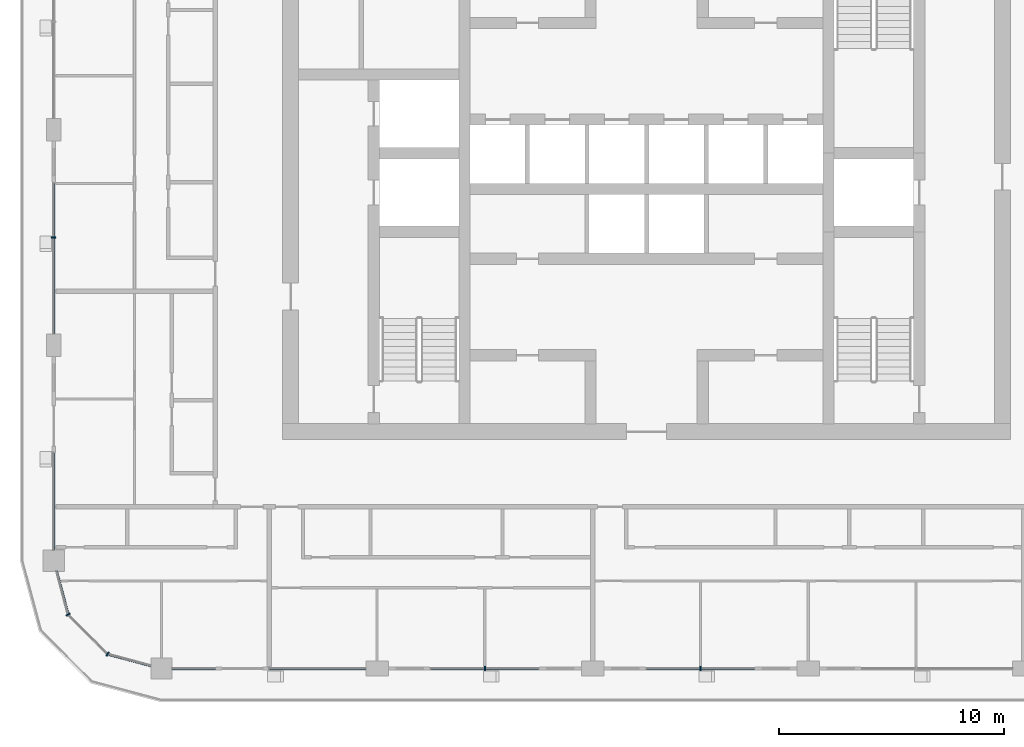
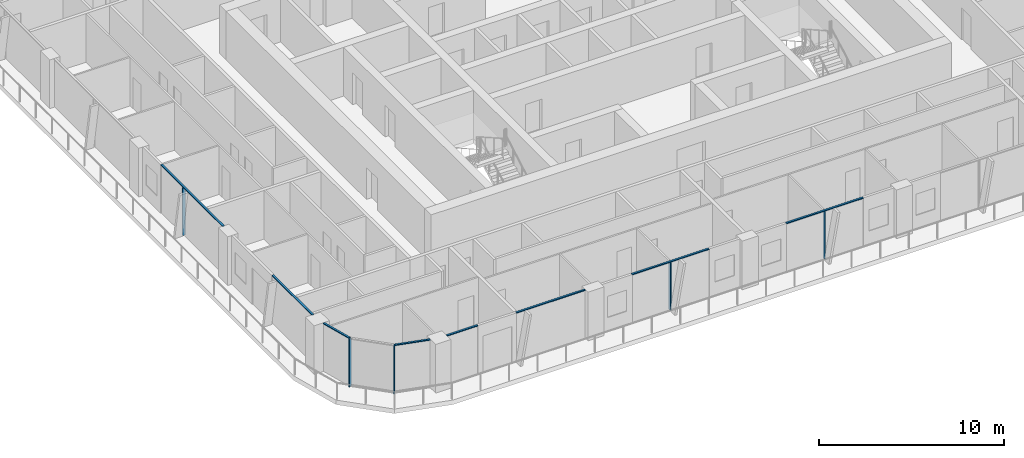
# One storey, part 2 of 23: 13 members, 6 elements without a shape of their own.
"""IFC4 building model written with IfcOpenShell, lengths in metres."""

from ifc_helpers import new_model, si_unit, direction, frame, origin, origin_2d, place, context, subcontext, project, spatial, rectangle, extrude, material, layer, layer_set, material_profile, profile_set, type_object, element, aggregate, save


model = new_model("IFC4")

# Units and contexts
model_context = context("Model", 3, precision=1e-05, world=origin(), true_north=direction((0.0, 1.0)))
body_context = subcontext(model_context, "Body", "Model", "MODEL_VIEW")
ifc_project = project(units=[si_unit("LENGTHUNIT", "METRE"), si_unit("AREAUNIT", "SQUARE_METRE"), si_unit("VOLUMEUNIT", "CUBIC_METRE"), si_unit("PLANEANGLEUNIT", "RADIAN"), si_unit("MASSUNIT", "GRAM", prefix="KILO")], contexts=[model_context])

# Site, building, storey
site_placement = place(None, origin())
site = spatial("IfcSite", under=ifc_project, at=site_placement, CompositionType="ELEMENT")
building_placement = place(site_placement, origin())
building = spatial("IfcBuilding", under=site, at=building_placement, Name="Madar Terraces", CompositionType="ELEMENT")
storey_placement = place(building_placement, frame((0.0, 0.0, 219.300048828125)))
storey = spatial("IfcBuildingStorey", under=building, at=storey_placement, Name="L57", CompositionType="ELEMENT", Elevation=219.300048828125)

# Curtain wall, member
ifc_material_1 = material(Name="Glass, ceramic frit dark grey, with black aluminium frame", Category="aluminium")
ifc_layer = layer(ifc_material_1, 0.199951171875)
ifc_layer_set = layer_set([ifc_layer], Name="Facade curtain wall, fritted glass")
curtain_wall_type = type_object("IfcCurtainWallType", Name="Facade curtain wall, fritted glass", PredefinedType="NOTDEFINED", material=ifc_layer_set)
curtain_wall_1_placement = place(storey_placement, origin())
curtain_wall_1 = element("IfcCurtainWall", 1, at=curtain_wall_1_placement, inside=storey, type_object=curtain_wall_type, Name="Outer skin curtain wall south bay 2", PredefinedType="NOTDEFINED")
ifc_material_2 = material(Name="Aluminium, black anodised", Category="aluminium")
ifc_material_profile_1 = material_profile(ifc_material_2, rectangle(XDim=0.199951171875, YDim=0.06005859375, at=origin_2d()), Name="Facade mullion 60x200")
ifc_profile_set_1 = profile_set([ifc_material_profile_1], Name="Aluminium, black anodised")
member_type_1 = type_object("IfcMemberType", Name="Facade mullion 60x200", PredefinedType="MULLION", material=ifc_profile_set_1)
member_1_placement = place(storey_placement, frame((24.0, 4.800048828125, 0.0), z_axis=(0.0, 0.0, 1.0), x_axis=(0.0, 1.0, 0.0)))
member_1 = element("IfcMember", 2, at=member_1_placement, type_object=member_type_1, Name="Mullion 1", PredefinedType="MULLION", context=body_context, shape_type="SweptSolid", body=[
    extrude(rectangle(XDim=0.199951171875, YDim=0.06005859375, at=origin_2d()), origin(), (0.0, 0.0, 1.0), 3.139892578125),
])

curtain_wall_2_placement = place(storey_placement, origin())
curtain_wall_2 = element("IfcCurtainWall", 3, at=curtain_wall_2_placement, inside=storey, type_object=curtain_wall_type, Name="Outer skin curtain wall south bay 3", PredefinedType="NOTDEFINED")
member_2_placement = place(storey_placement, frame((33.60009765625, 4.800048828125, 0.0), z_axis=(0.0, 0.0, 1.0), x_axis=(0.0, 1.0, 0.0)))
member_2 = element("IfcMember", 4, at=member_2_placement, type_object=member_type_1, Name="Mullion 1", PredefinedType="MULLION", context=body_context, shape_type="SweptSolid", body=[
    extrude(rectangle(XDim=0.199951171875, YDim=0.06005859375, at=origin_2d()), origin(), (0.0, 0.0, 1.0), 3.139892578125),
])

curtain_wall_3_placement = place(storey_placement, origin())
curtain_wall_3 = element("IfcCurtainWall", 5, at=curtain_wall_3_placement, inside=storey, type_object=curtain_wall_type, Name="Outer skin curtain wall west bay 3", PredefinedType="NOTDEFINED")
member_3_placement = place(storey_placement, frame((4.800048828125, 24.0, 0.0), z_axis=(0.0, 0.0, 1.0), x_axis=(1.0, 0.0, 0.0)))
member_3 = element("IfcMember", 6, at=member_3_placement, type_object=member_type_1, Name="Mullion 1", PredefinedType="MULLION", context=body_context, shape_type="SweptSolid", body=[
    extrude(rectangle(XDim=0.199951171875, YDim=0.06005859375, at=origin_2d()), origin(), (0.0, 0.0, 1.0), 3.139892578125),
])

# Curtain wall, members
curtain_wall_4_placement = place(storey_placement, origin())
curtain_wall_4 = element("IfcCurtainWall", 7, at=curtain_wall_4_placement, inside=storey, type_object=curtain_wall_type, Name="Outer skin curtain wall south-west corner", PredefinedType="NOTDEFINED")
member_4_placement = place(storey_placement, frame((5.443115234375, 7.199951171875, 0.0), z_axis=(0.0, 0.0, 1.0), x_axis=(0.866025409797, 0.499999989586, 0.0)))
member_4 = element("IfcMember", 8, at=member_4_placement, type_object=member_type_1, Name="Mullion 1", PredefinedType="MULLION", context=body_context, shape_type="SweptSolid", body=[
    extrude(rectangle(XDim=0.199951171875, YDim=0.06005859375, at=origin_2d()), origin(), (0.0, 0.0, 1.0), 3.139892578125),
])
member_5_placement = place(storey_placement, frame((7.199951171875, 5.443115234375, 0.0), z_axis=(0.0, 0.0, 1.0), x_axis=(0.499999989586, 0.866025409797, 0.0)))
member_5 = element("IfcMember", 9, at=member_5_placement, type_object=member_type_1, Name="Mullion 2", PredefinedType="MULLION", context=body_context, shape_type="SweptSolid", body=[
    extrude(rectangle(XDim=0.199951171875, YDim=0.06005859375, at=origin_2d()), origin(), (0.0, 0.0, 1.0), 3.139892578125),
])

curtain_wall_5_placement = place(storey_placement, origin())
curtain_wall_5 = element("IfcCurtainWall", 10, at=curtain_wall_5_placement, inside=storey, type_object=curtain_wall_type, Name="Outer skin curtain wall south bay 1", PredefinedType="NOTDEFINED")
ifc_material_3 = material(Name="Aluminium, black anodised", Category="aluminium")
ifc_material_profile_2 = material_profile(ifc_material_3, rectangle(XDim=0.1201171875, YDim=0.06005859375, at=origin_2d()), Name="Facade transom 60x120")
ifc_profile_set_2 = profile_set([ifc_material_profile_2], Name="Aluminium, black anodised")
member_type_2 = type_object("IfcMemberType", Name="Facade transom 60x120", PredefinedType="USERDEFINED", material=ifc_profile_set_2)
member_6_placement = place(storey_placement, frame((10.074951171875, 4.800048828125, 3.169921875), z_axis=(1.0, 0.0, 0.0), x_axis=(0.0, 1.0, 0.0)))
member_6 = element("IfcMember", 11, at=member_6_placement, type_object=member_type_2, Name="Transom 1", ObjectType="TRANSOM", PredefinedType="USERDEFINED", context=body_context, shape_type="SweptSolid", body=[
    extrude(rectangle(XDim=0.1201171875, YDim=0.06005859375, at=origin_2d()), origin(), (0.0, 0.0, 1.0), 1.925048828125),
])
member_7_placement = place(storey_placement, frame((14.39990234375, 4.800048828125, 3.169921875), z_axis=(1.0, 0.0, 0.0), x_axis=(0.0, 1.0, 0.0)))
member_7 = element("IfcMember", 12, at=member_7_placement, type_object=member_type_2, Name="Transom 2", ObjectType="TRANSOM", PredefinedType="USERDEFINED", context=body_context, shape_type="SweptSolid", body=[
    extrude(rectangle(XDim=0.1201171875, YDim=0.06005859375, at=origin_2d()), origin(), (0.0, 0.0, 1.0), 4.300048828125),
])
aggregate(curtain_wall_5, [member_6, member_7])

# Member
member_8_placement = place(storey_placement, frame((21.60009765625, 4.800048828125, 3.169921875), z_axis=(1.0, 0.0, 0.0), x_axis=(0.0, 1.0, 0.0)))
member_8 = element("IfcMember", 13, at=member_8_placement, type_object=member_type_2, Name="Transom 1", ObjectType="TRANSOM", PredefinedType="USERDEFINED", context=body_context, shape_type="SweptSolid", body=[
    extrude(rectangle(XDim=0.1201171875, YDim=0.06005859375, at=origin_2d()), origin(), (0.0, 0.0, 1.0), 4.7998046875),
])

aggregate(curtain_wall_1, [member_1, member_8])

member_9_placement = place(storey_placement, frame((31.199951171875, 4.800048828125, 3.169921875), z_axis=(1.0, 0.0, 0.0), x_axis=(0.0, 1.0, 0.0)))
member_9 = element("IfcMember", 14, at=member_9_placement, type_object=member_type_2, Name="Transom 1", ObjectType="TRANSOM", PredefinedType="USERDEFINED", context=body_context, shape_type="SweptSolid", body=[
    extrude(rectangle(XDim=0.1201171875, YDim=0.06005859375, at=origin_2d()), origin(), (0.0, 0.0, 1.0), 4.800048828125),
])

aggregate(curtain_wall_2, [member_2, member_9])

member_10_placement = place(storey_placement, frame((4.800048828125, 26.39990234375, 3.169921875), z_axis=(0.0, -1.0, 0.0), x_axis=(1.0, 0.0, 0.0)))
member_10 = element("IfcMember", 15, at=member_10_placement, type_object=member_type_2, Name="Transom 1", ObjectType="TRANSOM", PredefinedType="USERDEFINED", context=body_context, shape_type="SweptSolid", body=[
    extrude(rectangle(XDim=0.1201171875, YDim=0.06005859375, at=origin_2d()), origin(), (0.0, 0.0, 1.0), 6.699951171875),
])

aggregate(curtain_wall_3, [member_3, member_10])

# Curtain wall, member
curtain_wall_6_placement = place(storey_placement, origin())
curtain_wall_6 = element("IfcCurtainWall", 16, at=curtain_wall_6_placement, inside=storey, type_object=curtain_wall_type, Name="Outer skin curtain wall west bay 4", PredefinedType="NOTDEFINED")
member_11_placement = place(storey_placement, frame((4.800048828125, 14.39990234375, 3.169921875), z_axis=(0.0, -1.0, 0.0), x_axis=(1.0, 0.0, 0.0)))
member_11 = element("IfcMember", 17, at=member_11_placement, type_object=member_type_2, Name="Transom 1", ObjectType="TRANSOM", PredefinedType="USERDEFINED", context=body_context, shape_type="SweptSolid", body=[
    extrude(rectangle(XDim=0.1201171875, YDim=0.06005859375, at=origin_2d()), origin(), (0.0, 0.0, 1.0), 4.324951171875),
])
aggregate(curtain_wall_6, [member_11])

# Member
member_12_placement = place(storey_placement, frame((4.92724609375, 9.125, 3.169921875), z_axis=(0.258831412352, -0.96592251241, 0.0), x_axis=(0.96592251241, 0.258831412352, 0.0)))
member_12 = element("IfcMember", 18, at=member_12_placement, type_object=member_type_2, Name="Transom 1", ObjectType="TRANSOM", PredefinedType="USERDEFINED", context=body_context, shape_type="SweptSolid", body=[
    extrude(rectangle(XDim=0.1201171875, YDim=0.06005859375, at=origin_2d()), origin(), (0.0, 0.0, 1.0), 1.962890625),
])

member_13_placement = place(storey_placement, frame((7.22900390625, 5.435302734375, 3.169921875), z_axis=(0.96592251241, -0.258831412352, 0.0), x_axis=(0.258831412352, 0.96592251241, 0.0)))
member_13 = element("IfcMember", 19, at=member_13_placement, type_object=member_type_2, Name="Transom 3", ObjectType="TRANSOM", PredefinedType="USERDEFINED", context=body_context, shape_type="SweptSolid", body=[
    extrude(rectangle(XDim=0.1201171875, YDim=0.06005859375, at=origin_2d()), origin(), (0.0, 0.0, 1.0), 1.962890625),
])

aggregate(curtain_wall_4, [member_4, member_12, member_5, member_13])

save(model, "model.ifc")
